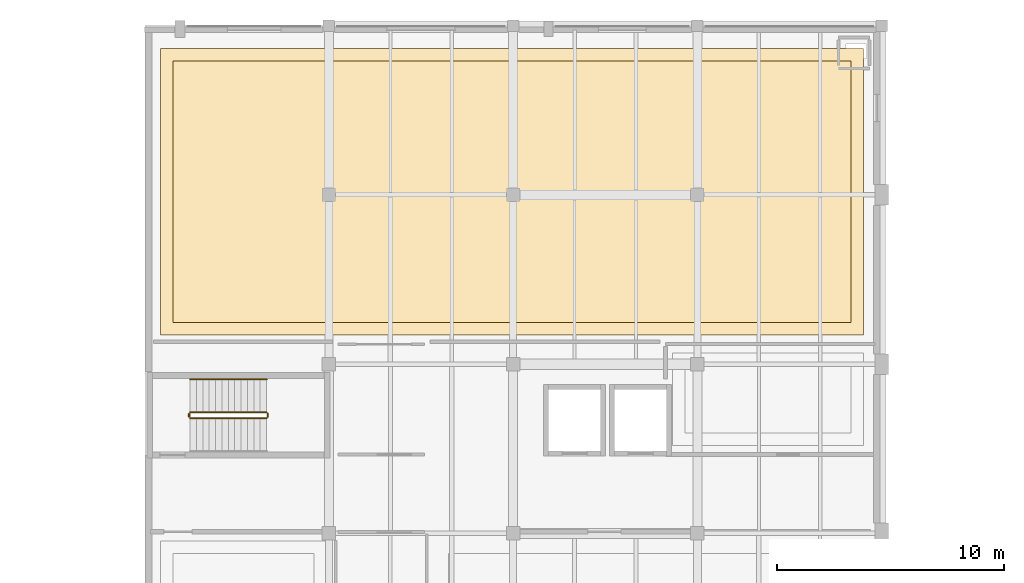
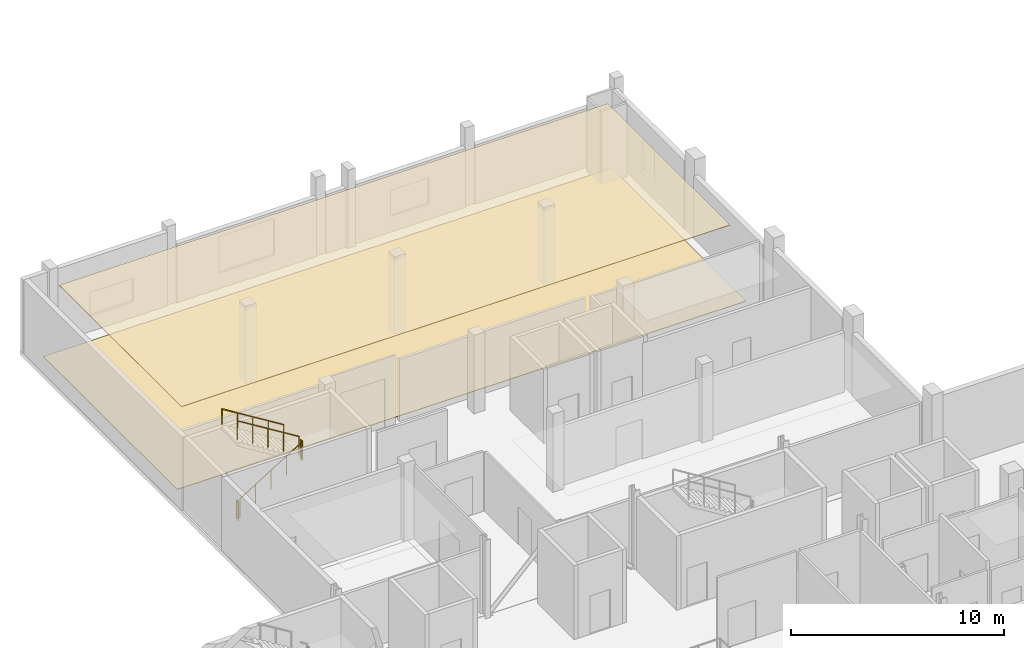
# One storey, part 55 of 56: 5 railings, 2 coverings.
"""IFC4 building model written with IfcOpenShell, lengths in metres."""

from ifc_helpers import new_model, si_unit, direction, frame, origin, origin_2d, place, context, subcontext, project, spatial, polyline, circle, outline, extrude, material, layer, layer_set, type_object, element, save


model = new_model("IFC4")

# Units and contexts
model_context = context("Model", 3, precision=1e-05, world=origin(), true_north=direction((0.0, 1.0)))
body_context = subcontext(model_context, "Body", "Model", "MODEL_VIEW")
ifc_project = project(units=[si_unit("LENGTHUNIT", "METRE"), si_unit("AREAUNIT", "SQUARE_METRE"), si_unit("VOLUMEUNIT", "CUBIC_METRE"), si_unit("PLANEANGLEUNIT", "RADIAN"), si_unit("MASSUNIT", "GRAM", prefix="KILO")], contexts=[model_context])

# Site, building, storey
site_placement = place(None, origin())
site = spatial("IfcSite", under=ifc_project, at=site_placement, CompositionType="ELEMENT")
building_placement = place(site_placement, origin())
building = spatial("IfcBuilding", under=site, at=building_placement, Name="Kaelora Sail Theatre", CompositionType="ELEMENT")
storey_placement = place(building_placement, frame((0.0, 0.0, 14.699951171875)))
storey = spatial("IfcBuildingStorey", under=building, at=storey_placement, Name="L03", CompositionType="ELEMENT", Elevation=14.699951171875)

# Coverings
ifc_material_1 = material(Name="Suspended acoustic mineral-fibre ceiling", Category="gypsum")
ifc_layer_1 = layer(ifc_material_1, 0.034912109375)
ifc_layer_set_1 = layer_set([ifc_layer_1], Name="Suspended acoustic mineral-fibre ceiling")
covering_type_1 = type_object("IfcCoveringType", Name="ARC-COV-CLG-GYP-35", PredefinedType="CEILING", material=ifc_layer_set_1)
covering_1_placement = place(storey_placement, frame((0.0, 0.0, 4.22509765625)))
element("IfcCovering", 1, at=covering_1_placement, inside=storey, type_object=covering_type_1, Name="Acoustic ceiling L03-BALLET-1", PredefinedType="CEILING", context=body_context, shape_type="SweptSolid", body=[
    extrude(outline(polyline([(35.14990234375, 100.050048828125), (64.949951171875, 100.050048828125), (64.949951171875, 111.550048828125), (35.14990234375, 111.550048828125), (35.14990234375, 100.050048828125)])), origin(), (0.0, 0.0, 1.0), 0.034912109375),
])
ifc_material_2 = material(Name="Sprung West African iroko stage and dance floor", Category="timber")
ifc_layer_2 = layer(ifc_material_2, 0.028076171875)
ifc_layer_set_2 = layer_set([ifc_layer_2], Name="Sprung West African iroko stage and dance floor")
covering_type_2 = type_object("IfcCoveringType", Name="ARC-COV-FLR-OAK-28", PredefinedType="FLOORING", material=ifc_layer_set_2)
covering_2_placement = place(storey_placement, origin())
element("IfcCovering", 2, at=covering_2_placement, inside=storey, type_object=covering_type_2, Name="Architectural flooring L03-BALLET-1", PredefinedType="FLOORING", context=body_context, shape_type="SweptSolid", body=[
    extrude(outline(polyline([(34.60009765625, 99.5), (65.5, 99.5), (65.5, 112.10009765625), (34.60009765625, 112.10009765625), (34.60009765625, 99.5)])), origin(), (0.0, 0.0, 1.0), 0.028076171875),
])

# Railings
ifc_material_3 = material(Name="Painted steel and laminated safety glass guard", Category="steel")
railing_type_1 = type_object("IfcRailingType", Name="ARC-RL-GRD", PredefinedType="GUARDRAIL", material=ifc_material_3)
railing_1_placement = place(storey_placement, frame((35.89990234375, 95.85009765625, 0.173095703125)))
element("IfcRailing", 3, at=railing_1_placement, inside=storey, type_object=railing_type_1, Name="L03 ST-K2 stair guard 1", PredefinedType="GUARDRAIL", context=body_context, shape_type="SweptSolid", body=[
    extrude(circle(Radius=0.02392578125, at=origin_2d()), frame((0.0, 0.0, 1.076171875), z_axis=(0.850623216509, 0.0, 0.525775754039), x_axis=(0.0, 1.0, 0.0)), (0.0, 0.0, 1.0), 3.9501953125),
    extrude(circle(Radius=0.02099609375, at=origin_2d()), origin(), (0.0, 0.0, 1.0), 1.052001953125),
    extrude(circle(Radius=0.02099609375, at=origin_2d()), frame((0.840087890625, 0.0, 0.519287109375)), (0.0, 0.0, 1.0), 1.052001953125),
    extrude(circle(Radius=0.02099609375, at=origin_2d()), frame((1.68017578125, 0.0, 1.03857421875)), (0.0, 0.0, 1.0), 1.052001953125),
    extrude(circle(Radius=0.02099609375, at=origin_2d()), frame((2.52001953125, 0.0, 1.5576171875)), (0.0, 0.0, 1.0), 1.052001953125),
    extrude(circle(Radius=0.02099609375, at=origin_2d()), frame((3.360107421875, 0.0, 2.076904296875)), (0.0, 0.0, 1.0), 1.052001953125),
])
railing_2_placement = place(storey_placement, frame((39.31005859375, 95.89990234375, 2.25)))
element("IfcRailing", 4, at=railing_2_placement, inside=storey, type_object=railing_type_1, Name="L03 ST-K2 stair guard 2", PredefinedType="GUARDRAIL", context=body_context, shape_type="SweptSolid", body=[
    extrude(circle(Radius=0.02392578125, at=origin_2d()), frame((0.0, 0.0, 1.076171875), z_axis=(0.0, 1.0, 0.0), x_axis=(-1.0, 0.0, 0.0)), (0.0, 0.0, 1.0), 0.150146484375),
    extrude(circle(Radius=0.02099609375, at=origin_2d()), origin(), (0.0, 0.0, 1.0), 1.052001953125),
    extrude(circle(Radius=0.02099609375, at=origin_2d()), frame((0.0, 0.150146484375, 0.0)), (0.0, 0.0, 1.0), 1.052001953125),
])
railing_3_placement = place(storey_placement, frame((39.260009765625, 96.10009765625, 2.423095703125)))
element("IfcRailing", 5, at=railing_3_placement, inside=storey, type_object=railing_type_1, Name="L03 ST-K2 stair guard 3", PredefinedType="GUARDRAIL", context=body_context, shape_type="SweptSolid", body=[
    extrude(circle(Radius=0.02392578125, at=origin_2d()), frame((0.0, 0.0, 1.076171875), z_axis=(-0.850623216509, 0.0, 0.525775754039), x_axis=(0.0, -1.0, 0.0)), (0.0, 0.0, 1.0), 3.9501953125),
    extrude(circle(Radius=0.02099609375, at=origin_2d()), origin(), (0.0, 0.0, 1.0), 1.052001953125),
    extrude(circle(Radius=0.02099609375, at=origin_2d()), frame((-0.840087890625, 0.0, 0.519287109375)), (0.0, 0.0, 1.0), 1.052001953125),
    extrude(circle(Radius=0.02099609375, at=origin_2d()), frame((-1.68017578125, 0.0, 1.03857421875)), (0.0, 0.0, 1.0), 1.052001953125),
    extrude(circle(Radius=0.02099609375, at=origin_2d()), frame((-2.52001953125, 0.0, 1.5576171875)), (0.0, 0.0, 1.0), 1.052001953125),
    extrude(circle(Radius=0.02099609375, at=origin_2d()), frame((-3.360107421875, 0.0, 2.076904296875)), (0.0, 0.0, 1.0), 1.052001953125),
])
railing_4_placement = place(storey_placement, frame((35.85009765625, 95.89990234375, 0.0)))
element("IfcRailing", 6, at=railing_4_placement, inside=storey, type_object=railing_type_1, Name="L03 ST-K2 stair guard 4", PredefinedType="GUARDRAIL", context=body_context, shape_type="SweptSolid", body=[
    extrude(circle(Radius=0.02392578125, at=origin_2d()), frame((0.0, 0.0, 1.076171875), z_axis=(0.0, 1.0, 0.0), x_axis=(-1.0, 0.0, 0.0)), (0.0, 0.0, 1.0), 0.150146484375),
    extrude(circle(Radius=0.02099609375, at=origin_2d()), origin(), (0.0, 0.0, 1.0), 1.052001953125),
    extrude(circle(Radius=0.02099609375, at=origin_2d()), frame((0.0, 0.150146484375, 0.0)), (0.0, 0.0, 1.0), 1.052001953125),
])
ifc_material_4 = material(Name="Brushed stainless steel 316L tubular handrail", Category="steel")
railing_type_2 = type_object("IfcRailingType", Name="ARC-RL-HND", PredefinedType="HANDRAIL", material=ifc_material_4)
railing_5_placement = place(storey_placement, frame((39.260009765625, 97.550048828125, 2.423095703125)))
element("IfcRailing", 7, at=railing_5_placement, inside=storey, type_object=railing_type_2, Name="L03 ST-K2 stair handrail 2", PredefinedType="HANDRAIL", context=body_context, shape_type="SweptSolid", body=[
    extrude(circle(Radius=0.02392578125, at=origin_2d()), frame((0.0, 0.0, 0.8759765625), z_axis=(-0.850623216509, 0.0, 0.525775754039), x_axis=(0.0, -1.0, 0.0)), (0.0, 0.0, 1.0), 3.9501953125),
    extrude(circle(Radius=0.02099609375, at=origin_2d()), origin(), (0.0, 0.0, 1.0), 0.851806640625),
    extrude(circle(Radius=0.02099609375, at=origin_2d()), frame((-0.840087890625, 0.0, 0.519287109375)), (0.0, 0.0, 1.0), 0.851806640625),
    extrude(circle(Radius=0.02099609375, at=origin_2d()), frame((-1.68017578125, 0.0, 1.03857421875)), (0.0, 0.0, 1.0), 0.851806640625),
    extrude(circle(Radius=0.02099609375, at=origin_2d()), frame((-2.52001953125, 0.0, 1.5576171875)), (0.0, 0.0, 1.0), 0.851806640625),
    extrude(circle(Radius=0.02099609375, at=origin_2d()), frame((-3.360107421875, 0.0, 2.076904296875)), (0.0, 0.0, 1.0), 0.851806640625),
])

save(model, "model.ifc")
